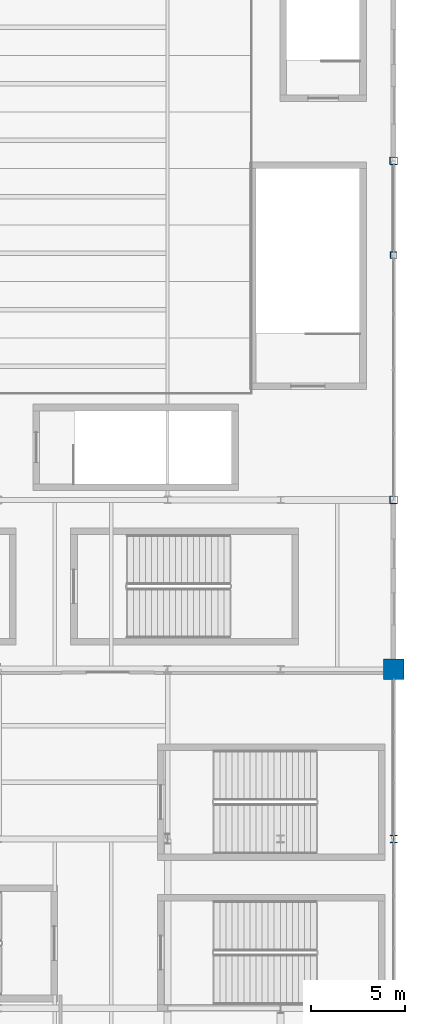
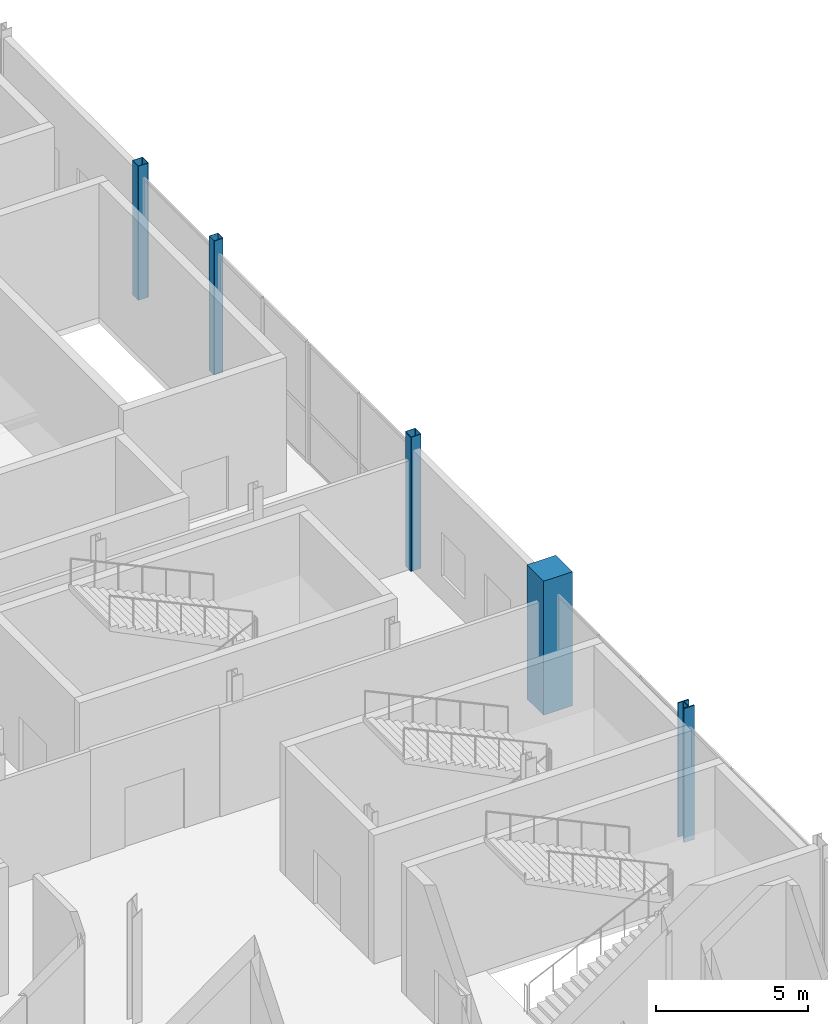
# One storey, part 21 of 119: 5 columns.
"""IFC4 building model written with IfcOpenShell, lengths in metres."""

import ifcopenshell
import ifcopenshell.guid

model = None  # the IFC model being written
_history = None  # IfcOwnerHistory: only IFC2X3 demands one
_inside = {}  # id of a spatial element -> (the spatial element, [elements in it])
_under = {}  # id of a project, library or spatial element -> (it, [spatial elements below it])
_declared = {}  # id of a project -> (the project, [libraries it declares])
_typed = {}  # id of a type object -> (the type object, [elements of that type])
_made_of = {}  # id of a material, layer set ... -> (it, [elements and type objects made of it])


def new_model(schema):
    """Start an empty IFC model of exactly this schema.

    Asked for "IFC4X3", IfcOpenShell would pick the latest addendum, in which some entities
    have other attributes; the version numbers below select the first issue.
    IFC2X3 requires an IfcOwnerHistory on every rooted entity: one is made here for all.
    """
    global model, _history
    if schema == "IFC4X3":
        model = ifcopenshell.file(schema_version=(4, 3, 0, 0))
    else:
        model = ifcopenshell.file(schema=schema)
    _inside.clear()
    _under.clear()
    _declared.clear()
    _typed.clear()
    _made_of.clear()
    _history = None
    if model.schema == "IFC2X3":
        org = make("IfcOrganization", Name="unknown")
        user = make(
            "IfcPersonAndOrganization",
            ThePerson=make("IfcPerson", FamilyName="unknown"),
            TheOrganization=org,
        )
        app = make(
            "IfcApplication",
            ApplicationDeveloper=org,
            Version="unknown",
            ApplicationFullName="unknown",
            ApplicationIdentifier="unknown",
        )
        _history = make(
            "IfcOwnerHistory",
            OwningUser=user,
            OwningApplication=app,
            ChangeAction="ADDED",
            CreationDate=0,
        )
    return model


def make(cls, **values):
    """One entity of the class cls with the attributes given. An attribute that is None is left unset."""
    return model.create_entity(
        cls, **{name: value for name, value in values.items() if value is not None}
    )


def rooted(cls, **values):
    """An entity with a GlobalId (a new one), such as an element, a storey or a relation."""
    return make(cls, GlobalId=ifcopenshell.guid.new(), OwnerHistory=_history, **values)


def si_unit(unit_type, name, prefix=None):
    """IfcSIUnit, for example si_unit("LENGTHUNIT", "METRE", prefix="MILLI")."""
    return make("IfcSIUnit", UnitType=unit_type, Prefix=prefix, Name=name)


def assignment(units):
    """IfcUnitAssignment: the units of a project."""
    return None if units is None else make("IfcUnitAssignment", Units=units)


def point(xyz):
    """IfcCartesianPoint."""
    return None if xyz is None else make("IfcCartesianPoint", Coordinates=xyz)


def direction(xyz):
    """IfcDirection."""
    return None if xyz is None else make("IfcDirection", DirectionRatios=xyz)


def frame(location, z_axis=None, x_axis=None):
    """IfcAxis2Placement3D, a coordinate frame: its origin and axes. An axis left out is left unset."""
    return make(
        "IfcAxis2Placement3D",
        Location=point(location),
        Axis=direction(z_axis),
        RefDirection=direction(x_axis),
    )


def frame_2d(location, x_axis=None):
    """IfcAxis2Placement2D, a coordinate frame in the plane: its origin and x axis."""
    return make(
        "IfcAxis2Placement2D", Location=point(location), RefDirection=direction(x_axis)
    )


def origin():
    """The frame at (0, 0, 0) with its axes left unset."""
    return frame((0.0, 0.0, 0.0))


def origin_2d():
    """The frame at (0, 0) in the plane with its x axis left unset."""
    return frame_2d((0.0, 0.0))


def place(relative_to, where):
    """IfcLocalPlacement: puts the frame where relative to a parent placement (None: the world)."""
    return make(
        "IfcLocalPlacement", PlacementRelTo=relative_to, RelativePlacement=where
    )


def context(
    kind, dimensions, precision=None, world=None, true_north=None, identifier=None
):
    """IfcGeometricRepresentationContext, for example the 3D "Model" context."""
    return make(
        "IfcGeometricRepresentationContext",
        ContextIdentifier=identifier,
        ContextType=kind,
        CoordinateSpaceDimension=dimensions,
        Precision=precision,
        WorldCoordinateSystem=world,
        TrueNorth=true_north,
    )


def subcontext(parent, identifier, kind, view, scale=None):
    """IfcGeometricRepresentationSubContext, for example "Body" below "Model"."""
    return make(
        "IfcGeometricRepresentationSubContext",
        ContextIdentifier=identifier,
        ContextType=kind,
        ParentContext=parent,
        TargetScale=scale,
        TargetView=view,
    )


def project(units=None, contexts=None):
    """IfcProject with its units and contexts."""
    return rooted(
        "IfcProject",
        Name="project",
        RepresentationContexts=contexts,
        UnitsInContext=assignment(units),
    )


def spatial(cls, under=None, at=None, **own):
    """A site, building, storey or space (cls), placed at a placement, below another one or the project."""
    s = rooted(cls, ObjectPlacement=at, **own)
    if under is not None:
        _under.setdefault(under.id(), (under, []))[1].append(s)
    return s


def profile(cls, at=None, kind="AREA", **sizes):
    """A parametric profile (cls). Its sizes go by their IFC names, for example OverallWidth=200.0."""
    return make(cls, ProfileType=kind, Position=at, **sizes)


def rectangle(**sizes):
    """IfcRectangleProfileDef."""
    return profile("IfcRectangleProfileDef", **sizes)


def hollow_rectangle(**sizes):
    """IfcRectangleHollowProfileDef."""
    return profile("IfcRectangleHollowProfileDef", **sizes)


def i_section(**sizes):
    """IfcIShapeProfileDef."""
    return profile("IfcIShapeProfileDef", **sizes)


def extrude(swept, where, along, depth):
    """IfcExtrudedAreaSolid: the profile swept, set in the frame where, extruded along a direction by depth."""
    return make(
        "IfcExtrudedAreaSolid",
        SweptArea=swept,
        Position=where,
        ExtrudedDirection=direction(along),
        Depth=depth,
    )


def shape(context_of_items, identifier, shape_type, items):
    """IfcShapeRepresentation: the items that make up one representation, for example the "Body"."""
    return make(
        "IfcShapeRepresentation",
        ContextOfItems=context_of_items,
        RepresentationIdentifier=identifier,
        RepresentationType=shape_type,
        Items=items,
    )


def material(Name=None, Category=None):
    """IfcMaterial."""
    return make("IfcMaterial", Name=Name, Category=Category)


def material_profile(
    of_material, cross_section, Name=None, Category=None, Priority=None
):
    """IfcMaterialProfile: a cross section and its material."""
    return make(
        "IfcMaterialProfile",
        Name=Name,
        Material=of_material,
        Profile=cross_section,
        Priority=Priority,
        Category=Category,
    )


def profile_set(profiles, Name=None, composite=None):
    """IfcMaterialProfileSet."""
    return make(
        "IfcMaterialProfileSet",
        Name=Name,
        MaterialProfiles=profiles,
        CompositeProfile=composite,
    )


def made_of(thing, what):
    """Note that an element or type object is made of a material, layer set ...; save() writes the relation."""
    if what is not None:
        _made_of.setdefault(what.id(), (what, []))[1].append(thing)
    return thing


def type_object(cls, material=None, **own):
    """A type object (cls), such as IfcWallType, which elements share."""
    return made_of(rooted(cls, **own), material)


def element(
    cls,
    number,
    at=None,
    inside=None,
    cuts=None,
    type_object=None,
    material=None,
    context=None,
    identifier="Body",
    shape_type=None,
    held_by="IfcProductDefinitionShape",
    body=None,
    shapes=None,
    **own,
):
    """One element of the class cls, such as IfcWall. Its Tag is "e" and its number.

    at: its placement. inside: the storey or other place that contains it. cuts: it is an
    opening in that element (IfcRelVoidsElement). A single representation is given by context,
    identifier, shape_type and body (its items); several are given by shapes. held_by: the class
    of the entity that holds the representations. save() writes the other relations.
    """
    e = rooted(cls, Tag="e%d" % number, ObjectPlacement=at, **own)
    if body is not None:
        shapes = [shape(context, identifier, shape_type, body)]
    if shapes is not None:
        e.Representation = make(held_by, Representations=shapes)
    if inside is not None:
        _inside.setdefault(inside.id(), (inside, []))[1].append(e)
    if cuts is not None:
        rooted(
            "IfcRelVoidsElement", RelatingBuildingElement=cuts, RelatedOpeningElement=e
        )
    if type_object is not None:
        _typed.setdefault(type_object.id(), (type_object, []))[1].append(e)
    return made_of(e, material)


def aggregate(whole, parts):
    """IfcRelAggregates: a whole, such as a stair, and the parts it consists of."""
    return rooted("IfcRelAggregates", RelatingObject=whole, RelatedObjects=parts)


def save(model, path):
    """Write the relations noted so far, then the file.

    IfcRelAggregates (storeys below a building ...), IfcRelContainedInSpatialStructure (elements
    in a storey), IfcRelDefinesByType, IfcRelAssociatesMaterial and IfcRelDeclares: one each for
    every whole, place, type object, material and project.
    """
    for whole, parts in _under.values():
        aggregate(whole, parts)
    for where, things in _inside.values():
        rooted(
            "IfcRelContainedInSpatialStructure",
            RelatedElements=things,
            RelatingStructure=where,
        )
    for kind, things in _typed.values():
        rooted("IfcRelDefinesByType", RelatedObjects=things, RelatingType=kind)
    for what, things in _made_of.values():
        rooted("IfcRelAssociatesMaterial", RelatedObjects=things, RelatingMaterial=what)
    for by, libraries in _declared.values():
        rooted("IfcRelDeclares", RelatingContext=by, RelatedDefinitions=libraries)
    model.write(path)


model = new_model("IFC4")

# Units and contexts
model_context = context("Model", 3, precision=1e-05, world=origin(), true_north=direction((0.0, 1.0)))
body_context = subcontext(model_context, "Body", "Model", "MODEL_VIEW")
ifc_project = project(units=[si_unit("LENGTHUNIT", "METRE"), si_unit("AREAUNIT", "SQUARE_METRE"), si_unit("VOLUMEUNIT", "CUBIC_METRE"), si_unit("PLANEANGLEUNIT", "RADIAN"), si_unit("MASSUNIT", "GRAM", prefix="KILO")], contexts=[model_context])

# Site, building, storey
site_placement = place(None, origin())
site = spatial("IfcSite", under=ifc_project, at=site_placement, CompositionType="ELEMENT")
building_placement = place(site_placement, origin())
building = spatial("IfcBuilding", under=site, at=building_placement, Name="Qamarlyn Nura Convention Centre", CompositionType="ELEMENT")
storey_placement = place(building_placement, frame((0.0, 0.0, 5.39990234375)))
storey = spatial("IfcBuildingStorey", under=building, at=storey_placement, Name="L01", CompositionType="ELEMENT", Elevation=5.39990234375)

# Columns
ifc_material_1 = material(Name="Steel ASTM A500 Grade C", Category="steel")
ifc_material_profile_1 = material_profile(ifc_material_1, hollow_rectangle(XDim=0.39990234375, YDim=0.39990234375, WallThickness=0.01611328125, InnerFilletRadius=0.01611328125, OuterFilletRadius=0.031982421875, at=origin_2d()), Name="HSS400X400X16")
ifc_profile_set_1 = profile_set([ifc_material_profile_1], Name="Steel ASTM A500 Grade C")
column_type_1 = type_object("IfcColumnType", Name="COL-HSS-1", PredefinedType="COLUMN", material=ifc_profile_set_1)
for number, where, z_axis, x_axis, name in (
    (1, (192.0, 90.0, 0.0), (0.0, 0.0, 1.0), (1.0, 0.0, 0.0), "L01 column 18/L"),
    (2, (192.0, 108.0, 0.0), (0.0, 0.0, 1.0), (1.0, 0.0, 0.0), "L01 column 18/N"),
):
    element("IfcColumn", number, at=place(storey_placement, frame(where, z_axis=z_axis, x_axis=x_axis)), inside=storey, type_object=column_type_1, Name=name, PredefinedType="COLUMN", context=body_context, shape_type="SweptSolid", body=[
        extrude(hollow_rectangle(XDim=0.39990234375, YDim=0.39990234375, WallThickness=0.01611328125, InnerFilletRadius=0.01611328125, OuterFilletRadius=0.031982421875, at=origin_2d()), origin(), (0.0, 0.0, 1.0), 5.400146484375),
    ])
ifc_material_profile_2 = material_profile(ifc_material_1, hollow_rectangle(XDim=0.35009765625, YDim=0.35009765625, WallThickness=0.012451171875, InnerFilletRadius=0.012451171875, OuterFilletRadius=0.02490234375, at=origin_2d()), Name="HSS350X350X12.5")
ifc_profile_set_2 = profile_set([ifc_material_profile_2], Name="Steel ASTM A500 Grade C")
column_type_2 = type_object("IfcColumnType", Name="COL-HSS-2", PredefinedType="COLUMN", material=ifc_profile_set_2)
column_1_placement = place(storey_placement, frame((192.0, 103.0, 0.0), z_axis=(0.0, 0.0, 1.0), x_axis=(1.0, 0.0, 0.0)))
element("IfcColumn", 3, at=column_1_placement, inside=storey, type_object=column_type_2, Name="L01 column 18/M", PredefinedType="COLUMN", context=body_context, shape_type="SweptSolid", body=[
    extrude(hollow_rectangle(XDim=0.35009765625, YDim=0.35009765625, WallThickness=0.012451171875, InnerFilletRadius=0.012451171875, OuterFilletRadius=0.02490234375, at=origin_2d()), origin(), (0.0, 0.0, 1.0), 5.400146484375),
])
ifc_material_2 = material(Name="Steel ASTM A992", Category="steel")
ifc_material_profile_3 = material_profile(ifc_material_2, i_section(OverallWidth=0.408935546875, OverallDepth=0.425048828125, WebThickness=0.030517578125, FlangeThickness=0.049072265625, FilletRadius=0.02001953125, at=origin_2d()), Name="W360X421")
ifc_profile_set_3 = profile_set([ifc_material_profile_3], Name="Steel ASTM A992")
column_type_3 = type_object("IfcColumnType", Name="COL-MEGA-1", PredefinedType="COLUMN", material=ifc_profile_set_3)
column_2_placement = place(storey_placement, frame((192.0, 72.0, 0.0), z_axis=(0.0, 0.0, 1.0), x_axis=(1.0, 0.0, 0.0)))
element("IfcColumn", 4, at=column_2_placement, inside=storey, type_object=column_type_3, Name="L01 column 18/J", PredefinedType="COLUMN", context=body_context, shape_type="SweptSolid", body=[
    extrude(i_section(OverallWidth=0.408935546875, OverallDepth=0.425048828125, WebThickness=0.030517578125, FlangeThickness=0.049072265625, FilletRadius=0.02001953125, at=origin_2d()), origin(), (0.0, 0.0, 1.0), 5.400146484375),
])
ifc_material_3 = material(Name="Concrete C50/60", Category="concrete")
ifc_material_profile_4 = material_profile(ifc_material_3, rectangle(XDim=1.10009765625, YDim=1.10009765625, at=origin_2d()), Name="RC 1100x1100")
ifc_profile_set_4 = profile_set([ifc_material_profile_4], Name="Concrete C50/60")
column_type_4 = type_object("IfcColumnType", Name="COL-MEGA-2", PredefinedType="COLUMN", material=ifc_profile_set_4)
column_3_placement = place(storey_placement, frame((192.0, 81.0, 0.0), z_axis=(0.0, 0.0, 1.0), x_axis=(1.0, 0.0, 0.0)))
element("IfcColumn", 5, at=column_3_placement, inside=storey, type_object=column_type_4, Name="L01 column 18/K", PredefinedType="COLUMN", context=body_context, shape_type="SweptSolid", body=[
    extrude(rectangle(XDim=1.10009765625, YDim=1.10009765625, at=origin_2d()), origin(), (0.0, 0.0, 1.0), 5.400146484375),
])

save(model, "model.ifc")
